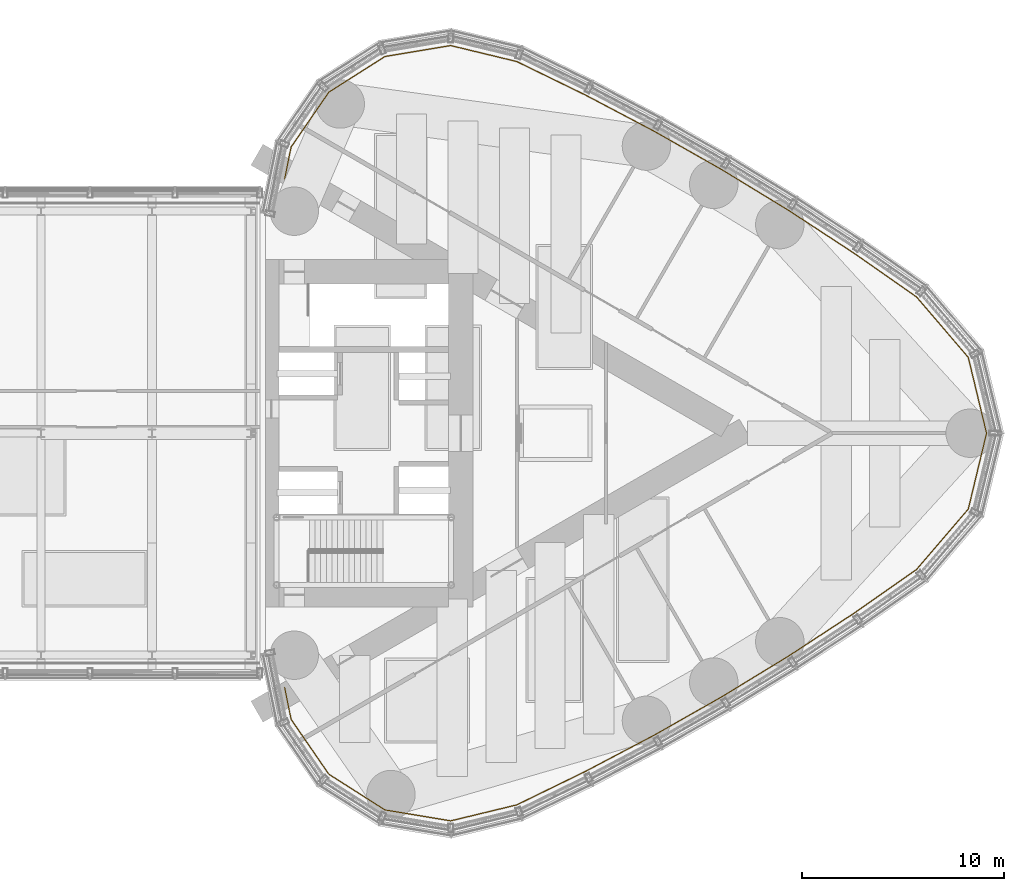
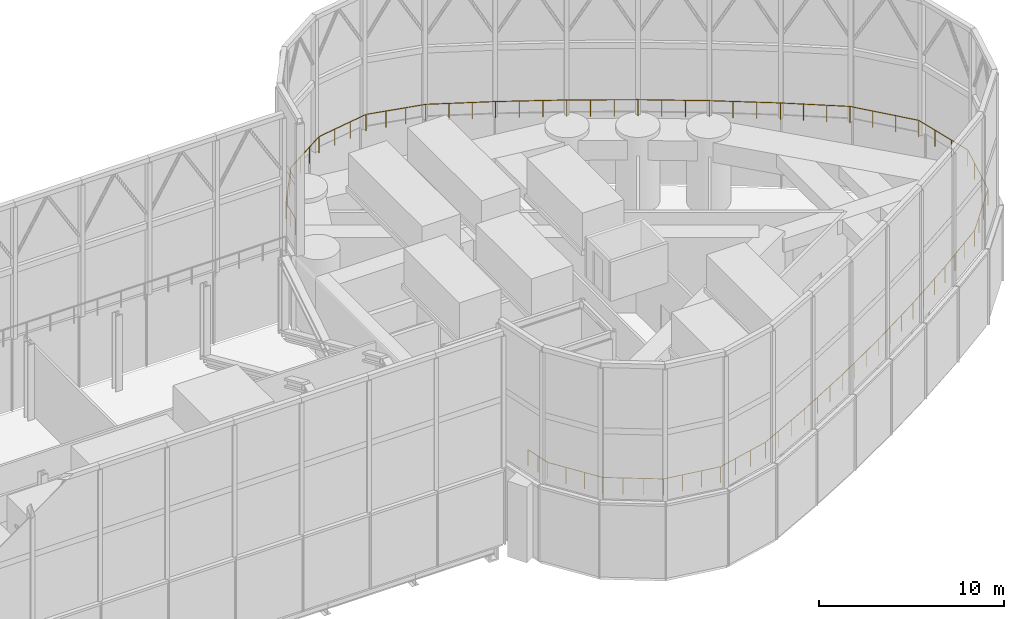
# One storey, part 32 of 33: 1 railing.
"""IFC4 building model written with IfcOpenShell, lengths in metres."""

import ifcopenshell
import ifcopenshell.guid

model = None  # the IFC model being written
_history = None  # IfcOwnerHistory: only IFC2X3 demands one
_inside = {}  # id of a spatial element -> (the spatial element, [elements in it])
_under = {}  # id of a project, library or spatial element -> (it, [spatial elements below it])
_declared = {}  # id of a project -> (the project, [libraries it declares])
_typed = {}  # id of a type object -> (the type object, [elements of that type])
_made_of = {}  # id of a material, layer set ... -> (it, [elements and type objects made of it])


def new_model(schema):
    """Start an empty IFC model of exactly this schema.

    Asked for "IFC4X3", IfcOpenShell would pick the latest addendum, in which some entities
    have other attributes; the version numbers below select the first issue.
    IFC2X3 requires an IfcOwnerHistory on every rooted entity: one is made here for all.
    """
    global model, _history
    if schema == "IFC4X3":
        model = ifcopenshell.file(schema_version=(4, 3, 0, 0))
    else:
        model = ifcopenshell.file(schema=schema)
    _inside.clear()
    _under.clear()
    _declared.clear()
    _typed.clear()
    _made_of.clear()
    _history = None
    if model.schema == "IFC2X3":
        org = make("IfcOrganization", Name="unknown")
        user = make(
            "IfcPersonAndOrganization",
            ThePerson=make("IfcPerson", FamilyName="unknown"),
            TheOrganization=org,
        )
        app = make(
            "IfcApplication",
            ApplicationDeveloper=org,
            Version="unknown",
            ApplicationFullName="unknown",
            ApplicationIdentifier="unknown",
        )
        _history = make(
            "IfcOwnerHistory",
            OwningUser=user,
            OwningApplication=app,
            ChangeAction="ADDED",
            CreationDate=0,
        )
    return model


def make(cls, **values):
    """One entity of the class cls with the attributes given. An attribute that is None is left unset."""
    return model.create_entity(
        cls, **{name: value for name, value in values.items() if value is not None}
    )


def rooted(cls, **values):
    """An entity with a GlobalId (a new one), such as an element, a storey or a relation."""
    return make(cls, GlobalId=ifcopenshell.guid.new(), OwnerHistory=_history, **values)


def si_unit(unit_type, name, prefix=None):
    """IfcSIUnit, for example si_unit("LENGTHUNIT", "METRE", prefix="MILLI")."""
    return make("IfcSIUnit", UnitType=unit_type, Prefix=prefix, Name=name)


def assignment(units):
    """IfcUnitAssignment: the units of a project."""
    return None if units is None else make("IfcUnitAssignment", Units=units)


def point(xyz):
    """IfcCartesianPoint."""
    return None if xyz is None else make("IfcCartesianPoint", Coordinates=xyz)


def direction(xyz):
    """IfcDirection."""
    return None if xyz is None else make("IfcDirection", DirectionRatios=xyz)


def frame(location, z_axis=None, x_axis=None):
    """IfcAxis2Placement3D, a coordinate frame: its origin and axes. An axis left out is left unset."""
    return make(
        "IfcAxis2Placement3D",
        Location=point(location),
        Axis=direction(z_axis),
        RefDirection=direction(x_axis),
    )


def frame_2d(location, x_axis=None):
    """IfcAxis2Placement2D, a coordinate frame in the plane: its origin and x axis."""
    return make(
        "IfcAxis2Placement2D", Location=point(location), RefDirection=direction(x_axis)
    )


def origin():
    """The frame at (0, 0, 0) with its axes left unset."""
    return frame((0.0, 0.0, 0.0))


def origin_2d():
    """The frame at (0, 0) in the plane with its x axis left unset."""
    return frame_2d((0.0, 0.0))


def place(relative_to, where):
    """IfcLocalPlacement: puts the frame where relative to a parent placement (None: the world)."""
    return make(
        "IfcLocalPlacement", PlacementRelTo=relative_to, RelativePlacement=where
    )


def context(
    kind, dimensions, precision=None, world=None, true_north=None, identifier=None
):
    """IfcGeometricRepresentationContext, for example the 3D "Model" context."""
    return make(
        "IfcGeometricRepresentationContext",
        ContextIdentifier=identifier,
        ContextType=kind,
        CoordinateSpaceDimension=dimensions,
        Precision=precision,
        WorldCoordinateSystem=world,
        TrueNorth=true_north,
    )


def subcontext(parent, identifier, kind, view, scale=None):
    """IfcGeometricRepresentationSubContext, for example "Body" below "Model"."""
    return make(
        "IfcGeometricRepresentationSubContext",
        ContextIdentifier=identifier,
        ContextType=kind,
        ParentContext=parent,
        TargetScale=scale,
        TargetView=view,
    )


def project(units=None, contexts=None):
    """IfcProject with its units and contexts."""
    return rooted(
        "IfcProject",
        Name="project",
        RepresentationContexts=contexts,
        UnitsInContext=assignment(units),
    )


def spatial(cls, under=None, at=None, **own):
    """A site, building, storey or space (cls), placed at a placement, below another one or the project."""
    s = rooted(cls, ObjectPlacement=at, **own)
    if under is not None:
        _under.setdefault(under.id(), (under, []))[1].append(s)
    return s


def profile(cls, at=None, kind="AREA", **sizes):
    """A parametric profile (cls). Its sizes go by their IFC names, for example OverallWidth=200.0."""
    return make(cls, ProfileType=kind, Position=at, **sizes)


def circle(**sizes):
    """IfcCircleProfileDef."""
    return profile("IfcCircleProfileDef", **sizes)


def extrude(swept, where, along, depth):
    """IfcExtrudedAreaSolid: the profile swept, set in the frame where, extruded along a direction by depth."""
    return make(
        "IfcExtrudedAreaSolid",
        SweptArea=swept,
        Position=where,
        ExtrudedDirection=direction(along),
        Depth=depth,
    )


def shape(context_of_items, identifier, shape_type, items):
    """IfcShapeRepresentation: the items that make up one representation, for example the "Body"."""
    return make(
        "IfcShapeRepresentation",
        ContextOfItems=context_of_items,
        RepresentationIdentifier=identifier,
        RepresentationType=shape_type,
        Items=items,
    )


def material(Name=None, Category=None):
    """IfcMaterial."""
    return make("IfcMaterial", Name=Name, Category=Category)


def made_of(thing, what):
    """Note that an element or type object is made of a material, layer set ...; save() writes the relation."""
    if what is not None:
        _made_of.setdefault(what.id(), (what, []))[1].append(thing)
    return thing


def type_object(cls, material=None, **own):
    """A type object (cls), such as IfcWallType, which elements share."""
    return made_of(rooted(cls, **own), material)


def element(
    cls,
    number,
    at=None,
    inside=None,
    cuts=None,
    type_object=None,
    material=None,
    context=None,
    identifier="Body",
    shape_type=None,
    held_by="IfcProductDefinitionShape",
    body=None,
    shapes=None,
    **own,
):
    """One element of the class cls, such as IfcWall. Its Tag is "e" and its number.

    at: its placement. inside: the storey or other place that contains it. cuts: it is an
    opening in that element (IfcRelVoidsElement). A single representation is given by context,
    identifier, shape_type and body (its items); several are given by shapes. held_by: the class
    of the entity that holds the representations. save() writes the other relations.
    """
    e = rooted(cls, Tag="e%d" % number, ObjectPlacement=at, **own)
    if body is not None:
        shapes = [shape(context, identifier, shape_type, body)]
    if shapes is not None:
        e.Representation = make(held_by, Representations=shapes)
    if inside is not None:
        _inside.setdefault(inside.id(), (inside, []))[1].append(e)
    if cuts is not None:
        rooted(
            "IfcRelVoidsElement", RelatingBuildingElement=cuts, RelatedOpeningElement=e
        )
    if type_object is not None:
        _typed.setdefault(type_object.id(), (type_object, []))[1].append(e)
    return made_of(e, material)


def aggregate(whole, parts):
    """IfcRelAggregates: a whole, such as a stair, and the parts it consists of."""
    return rooted("IfcRelAggregates", RelatingObject=whole, RelatedObjects=parts)


def save(model, path):
    """Write the relations noted so far, then the file.

    IfcRelAggregates (storeys below a building ...), IfcRelContainedInSpatialStructure (elements
    in a storey), IfcRelDefinesByType, IfcRelAssociatesMaterial and IfcRelDeclares: one each for
    every whole, place, type object, material and project.
    """
    for whole, parts in _under.values():
        aggregate(whole, parts)
    for where, things in _inside.values():
        rooted(
            "IfcRelContainedInSpatialStructure",
            RelatedElements=things,
            RelatingStructure=where,
        )
    for kind, things in _typed.values():
        rooted("IfcRelDefinesByType", RelatedObjects=things, RelatingType=kind)
    for what, things in _made_of.values():
        rooted("IfcRelAssociatesMaterial", RelatedObjects=things, RelatingMaterial=what)
    for by, libraries in _declared.values():
        rooted("IfcRelDeclares", RelatingContext=by, RelatedDefinitions=libraries)
    model.write(path)


model = new_model("IFC4")

# Units and contexts
model_context = context("Model", 3, precision=1e-05, world=origin(), true_north=direction((0.0, 1.0)))
body_context = subcontext(model_context, "Body", "Model", "MODEL_VIEW")
ifc_project = project(units=[si_unit("LENGTHUNIT", "METRE"), si_unit("AREAUNIT", "SQUARE_METRE"), si_unit("VOLUMEUNIT", "CUBIC_METRE"), si_unit("PLANEANGLEUNIT", "RADIAN"), si_unit("MASSUNIT", "GRAM", prefix="KILO")], contexts=[model_context])

# Site, building, storey
site_placement = place(None, origin())
site = spatial("IfcSite", under=ifc_project, at=site_placement, CompositionType="ELEMENT")
building_placement = place(site_placement, origin())
building = spatial("IfcBuilding", under=site, at=building_placement, Name="Lancet Gate Hotel", CompositionType="ELEMENT")
storey_placement = place(building_placement, frame((0.0, 0.0, 268.300048828125)))
storey = spatial("IfcBuildingStorey", under=building, at=storey_placement, Name="L70", CompositionType="ELEMENT", Elevation=268.300048828125)

# Railing
ifc_material = material(Name="Galvanised steel guard rail", Category="steel")
railing_type = type_object("IfcRailingType", Name="Roof guard rail 1100", PredefinedType="GUARDRAIL", material=ifc_material)
railing_placement = place(storey_placement, frame((28.5712890625, 12.60009765625, 5.0)))
element("IfcRailing", 1, at=railing_placement, inside=storey, type_object=railing_type, Name="T2 roof guard rail 1", PredefinedType="GUARDRAIL", context=body_context, shape_type="SweptSolid", body=[
    extrude(circle(Radius=0.02392578125, at=origin_2d()), frame((0.0, 0.0, 1.076171875), z_axis=(0.199405258668, 0.979917110176, 0.0), x_axis=(-0.979917110176, 0.199405258668, 0.0)), (0.0, 0.0, 1.0), 1.612548828125),
    extrude(circle(Radius=0.02392578125, at=origin_2d()), frame((0.321533203125, 1.580078125, 1.076171875), z_axis=(0.566836639095, 0.823830215869, 0.0), x_axis=(-0.823830215869, 0.566836639095, 0.0)), (0.0, 0.0, 1.0), 3.29833984375),
    extrude(circle(Radius=0.02392578125, at=origin_2d()), frame((2.191162109375, 4.29736328125, 1.076171875), z_axis=(0.843868672683, 0.536549777061, 0.0), x_axis=(-0.536549777061, 0.843868672683, 0.0)), (0.0, 0.0, 1.0), 3.29833984375),
    extrude(circle(Radius=0.02392578125, at=origin_2d()), frame((4.974609375, 6.067138671875, 1.076171875), z_axis=(0.986467844098, 0.163954849154, 0.0), x_axis=(-0.163954849154, 0.986467844098, 0.0)), (0.0, 0.0, 1.0), 3.29833984375),
    extrude(circle(Radius=0.02392578125, at=origin_2d()), frame((8.228271484375, 6.60791015625, 1.076171875), z_axis=(0.972006872075, -0.234952422077, 0.0), x_axis=(0.234952422077, 0.972006872075, 0.0)), (0.0, 0.0, 1.0), 3.36669921875),
    extrude(circle(Radius=0.02392578125, at=origin_2d()), frame((11.500732421875, 5.81689453125, 1.076171875), z_axis=(0.898822857573, -0.438312069997, 0.0), x_axis=(0.438312069997, 0.898822857573, 0.0)), (0.0, 0.0, 1.0), 3.794189453125),
    extrude(circle(Radius=0.02392578125, at=origin_2d()), frame((14.9111328125, 4.15380859375, 1.076171875), z_axis=(0.884621748691, -0.466309298366, 0.0), x_axis=(0.466309298366, 0.884621748691, 0.0)), (0.0, 0.0, 1.0), 3.86083984375),
    extrude(circle(Radius=0.02392578125, at=origin_2d()), frame((18.326416015625, 2.353515625, 1.076171875), z_axis=(0.869555300172, -0.493835579868, 0.0), x_axis=(0.493835579868, 0.869555300172, 0.0)), (0.0, 0.0, 1.0), 3.861083984375),
    extrude(circle(Radius=0.02392578125, at=origin_2d()), frame((21.683837890625, 0.44677734375, 1.076171875), z_axis=(0.853619266025, -0.520897445445, 0.0), x_axis=(0.520897445445, 0.853619266025, 0.0)), (0.0, 0.0, 1.0), 3.861083984375),
    extrude(circle(Radius=0.02392578125, at=origin_2d()), frame((24.979736328125, -1.564453125, 1.076171875), z_axis=(0.836853740592, -0.547426540147, 0.0), x_axis=(0.547426540147, 0.836853740592, 0.0)), (0.0, 0.0, 1.0), 3.86083984375),
    extrude(circle(Radius=0.02392578125, at=origin_2d()), frame((28.210693359375, -3.677978515625, 1.076171875), z_axis=(0.81927135119, -0.573406010711, 0.0), x_axis=(0.573406010711, 0.81927135119, 0.0)), (0.0, 0.0, 1.0), 3.78125),
    extrude(circle(Radius=0.02392578125, at=origin_2d()), frame((31.30859375, -5.84619140625, 1.076171875), z_axis=(0.650531493949, -0.759479279099, 0.0), x_axis=(0.759479279099, 0.650531493949, 0.0)), (0.0, 0.0, 1.0), 3.9462890625),
    extrude(circle(Radius=0.02392578125, at=origin_2d()), frame((33.875732421875, -8.84326171875, 1.076171875), z_axis=(0.233903425443, -0.972259835418, 0.0), x_axis=(0.972259835418, 0.233903425443, 0.0)), (0.0, 0.0, 1.0), 3.864013671875),
    extrude(circle(Radius=0.02392578125, at=origin_2d()), frame((34.779541015625, -12.60009765625, 1.076171875), z_axis=(-0.233903425443, -0.972259835418, 0.0), x_axis=(0.972259835418, -0.233903425443, 0.0)), (0.0, 0.0, 1.0), 3.864013671875),
    extrude(circle(Radius=0.02392578125, at=origin_2d()), frame((33.875732421875, -16.35693359375, 1.076171875), z_axis=(-0.650531493949, -0.759479279099, 0.0), x_axis=(0.759479279099, -0.650531493949, 0.0)), (0.0, 0.0, 1.0), 3.9462890625),
    extrude(circle(Radius=0.02392578125, at=origin_2d()), frame((31.30859375, -19.35400390625, 1.076171875), z_axis=(-0.81927135119, -0.573406010711, 0.0), x_axis=(0.573406010711, -0.81927135119, 0.0)), (0.0, 0.0, 1.0), 3.78125),
    extrude(circle(Radius=0.02392578125, at=origin_2d()), frame((28.210693359375, -21.522216796875, 1.076171875), z_axis=(-0.836853740592, -0.547426540147, 0.0), x_axis=(0.547426540147, -0.836853740592, 0.0)), (0.0, 0.0, 1.0), 3.86083984375),
    extrude(circle(Radius=0.02392578125, at=origin_2d()), frame((24.979736328125, -23.6357421875, 1.076171875), z_axis=(-0.853619266025, -0.520897445445, 0.0), x_axis=(0.520897445445, -0.853619266025, 0.0)), (0.0, 0.0, 1.0), 3.861083984375),
    extrude(circle(Radius=0.02392578125, at=origin_2d()), frame((21.683837890625, -25.64697265625, 1.076171875), z_axis=(-0.869555300172, -0.493835579868, 0.0), x_axis=(0.493835579868, -0.869555300172, 0.0)), (0.0, 0.0, 1.0), 3.861083984375),
    extrude(circle(Radius=0.02392578125, at=origin_2d()), frame((18.326416015625, -27.5537109375, 1.076171875), z_axis=(-0.884621748691, -0.466309298366, 0.0), x_axis=(0.466309298366, -0.884621748691, 0.0)), (0.0, 0.0, 1.0), 3.86083984375),
    extrude(circle(Radius=0.02392578125, at=origin_2d()), frame((14.9111328125, -29.35400390625, 1.076171875), z_axis=(-0.898822857573, -0.438312069997, 0.0), x_axis=(0.438312069997, -0.898822857573, 0.0)), (0.0, 0.0, 1.0), 3.794189453125),
    extrude(circle(Radius=0.02392578125, at=origin_2d()), frame((11.500732421875, -31.01708984375, 1.076171875), z_axis=(-0.972006872075, -0.234952422077, 0.0), x_axis=(0.234952422077, -0.972006872075, 0.0)), (0.0, 0.0, 1.0), 3.36669921875),
    extrude(circle(Radius=0.02392578125, at=origin_2d()), frame((8.228271484375, -31.80810546875, 1.076171875), z_axis=(-0.986467844098, 0.163954849154, 0.0), x_axis=(-0.163954849154, -0.986467844098, 0.0)), (0.0, 0.0, 1.0), 3.29833984375),
    extrude(circle(Radius=0.02392578125, at=origin_2d()), frame((4.974609375, -31.267333984375, 1.076171875), z_axis=(-0.843868672683, 0.536549777061, 0.0), x_axis=(-0.536549777061, -0.843868672683, 0.0)), (0.0, 0.0, 1.0), 3.29833984375),
    extrude(circle(Radius=0.02392578125, at=origin_2d()), frame((2.191162109375, -29.49755859375, 1.076171875), z_axis=(-0.566836639095, 0.823830215869, 0.0), x_axis=(-0.823830215869, -0.566836639095, 0.0)), (0.0, 0.0, 1.0), 3.29833984375),
    extrude(circle(Radius=0.02392578125, at=origin_2d()), frame((0.321533203125, -26.7802734375, 1.076171875), z_axis=(-0.199405258668, 0.979917110176, 0.0), x_axis=(-0.979917110176, -0.199405258668, 0.0)), (0.0, 0.0, 1.0), 1.612548828125),
    extrude(circle(Radius=0.02099609375, at=origin_2d()), origin(), (0.0, 0.0, 1.0), 1.052001953125),
    extrude(circle(Radius=0.02099609375, at=origin_2d()), frame((0.16064453125, 0.7900390625, 0.0)), (0.0, 0.0, 1.0), 1.052001953125),
    extrude(circle(Radius=0.02099609375, at=origin_2d()), frame((0.321533203125, 1.580078125, 0.0)), (0.0, 0.0, 1.0), 1.052001953125),
    extrude(circle(Radius=0.02099609375, at=origin_2d()), frame((0.94482421875, 2.48583984375, 0.0)), (0.0, 0.0, 1.0), 1.052001953125),
    extrude(circle(Radius=0.02099609375, at=origin_2d()), frame((1.56787109375, 3.3916015625, 0.0)), (0.0, 0.0, 1.0), 1.052001953125),
    extrude(circle(Radius=0.02099609375, at=origin_2d()), frame((2.191162109375, 4.29736328125, 0.0)), (0.0, 0.0, 1.0), 1.052001953125),
    extrude(circle(Radius=0.02099609375, at=origin_2d()), frame((3.118896484375, 4.88720703125, 0.0)), (0.0, 0.0, 1.0), 1.052001953125),
    extrude(circle(Radius=0.02099609375, at=origin_2d()), frame((4.046875, 5.477294921875, 0.0)), (0.0, 0.0, 1.0), 1.052001953125),
    extrude(circle(Radius=0.02099609375, at=origin_2d()), frame((4.974609375, 6.067138671875, 0.0)), (0.0, 0.0, 1.0), 1.052001953125),
    extrude(circle(Radius=0.02099609375, at=origin_2d()), frame((6.05908203125, 6.247314453125, 0.0)), (0.0, 0.0, 1.0), 1.052001953125),
    extrude(circle(Radius=0.02099609375, at=origin_2d()), frame((7.143798828125, 6.427734375, 0.0)), (0.0, 0.0, 1.0), 1.052001953125),
    extrude(circle(Radius=0.02099609375, at=origin_2d()), frame((8.228271484375, 6.60791015625, 0.0)), (0.0, 0.0, 1.0), 1.052001953125),
    extrude(circle(Radius=0.02099609375, at=origin_2d()), frame((9.319091796875, 6.34423828125, 0.0)), (0.0, 0.0, 1.0), 1.052001953125),
    extrude(circle(Radius=0.02099609375, at=origin_2d()), frame((10.409912109375, 6.08056640625, 0.0)), (0.0, 0.0, 1.0), 1.052001953125),
    extrude(circle(Radius=0.02099609375, at=origin_2d()), frame((11.500732421875, 5.81689453125, 0.0)), (0.0, 0.0, 1.0), 1.052001953125),
    extrude(circle(Radius=0.02099609375, at=origin_2d()), frame((12.637451171875, 5.262451171875, 0.0)), (0.0, 0.0, 1.0), 1.052001953125),
    extrude(circle(Radius=0.02099609375, at=origin_2d()), frame((13.7744140625, 4.708251953125, 0.0)), (0.0, 0.0, 1.0), 1.052001953125),
    extrude(circle(Radius=0.02099609375, at=origin_2d()), frame((14.9111328125, 4.15380859375, 0.0)), (0.0, 0.0, 1.0), 1.052001953125),
    extrude(circle(Radius=0.02099609375, at=origin_2d()), frame((16.049560546875, 3.5537109375, 0.0)), (0.0, 0.0, 1.0), 1.052001953125),
    extrude(circle(Radius=0.02099609375, at=origin_2d()), frame((17.18798828125, 2.95361328125, 0.0)), (0.0, 0.0, 1.0), 1.052001953125),
    extrude(circle(Radius=0.02099609375, at=origin_2d()), frame((18.326416015625, 2.353515625, 0.0)), (0.0, 0.0, 1.0), 1.052001953125),
    extrude(circle(Radius=0.02099609375, at=origin_2d()), frame((19.445556640625, 1.718017578125, 0.0)), (0.0, 0.0, 1.0), 1.052001953125),
    extrude(circle(Radius=0.02099609375, at=origin_2d()), frame((20.564697265625, 1.082275390625, 0.0)), (0.0, 0.0, 1.0), 1.052001953125),
    extrude(circle(Radius=0.02099609375, at=origin_2d()), frame((21.683837890625, 0.44677734375, 0.0)), (0.0, 0.0, 1.0), 1.052001953125),
    extrude(circle(Radius=0.02099609375, at=origin_2d()), frame((22.782470703125, -0.2236328125, 0.0)), (0.0, 0.0, 1.0), 1.052001953125),
    extrude(circle(Radius=0.02099609375, at=origin_2d()), frame((23.881103515625, -0.89404296875, 0.0)), (0.0, 0.0, 1.0), 1.052001953125),
    extrude(circle(Radius=0.02099609375, at=origin_2d()), frame((24.979736328125, -1.564453125, 0.0)), (0.0, 0.0, 1.0), 1.052001953125),
    extrude(circle(Radius=0.02099609375, at=origin_2d()), frame((26.056640625, -2.26904296875, 0.0)), (0.0, 0.0, 1.0), 1.052001953125),
    extrude(circle(Radius=0.02099609375, at=origin_2d()), frame((27.1337890625, -2.973388671875, 0.0)), (0.0, 0.0, 1.0), 1.052001953125),
    extrude(circle(Radius=0.02099609375, at=origin_2d()), frame((28.210693359375, -3.677978515625, 0.0)), (0.0, 0.0, 1.0), 1.052001953125),
    extrude(circle(Radius=0.02099609375, at=origin_2d()), frame((29.243408203125, -4.400634765625, 0.0)), (0.0, 0.0, 1.0), 1.052001953125),
    extrude(circle(Radius=0.02099609375, at=origin_2d()), frame((30.27587890625, -5.12353515625, 0.0)), (0.0, 0.0, 1.0), 1.052001953125),
    extrude(circle(Radius=0.02099609375, at=origin_2d()), frame((31.30859375, -5.84619140625, 0.0)), (0.0, 0.0, 1.0), 1.052001953125),
    extrude(circle(Radius=0.02099609375, at=origin_2d()), frame((32.164306640625, -6.84521484375, 0.0)), (0.0, 0.0, 1.0), 1.052001953125),
    extrude(circle(Radius=0.02099609375, at=origin_2d()), frame((33.02001953125, -7.84423828125, 0.0)), (0.0, 0.0, 1.0), 1.052001953125),
    extrude(circle(Radius=0.02099609375, at=origin_2d()), frame((33.875732421875, -8.84326171875, 0.0)), (0.0, 0.0, 1.0), 1.052001953125),
    extrude(circle(Radius=0.02099609375, at=origin_2d()), frame((34.177001953125, -10.095458984375, 0.0)), (0.0, 0.0, 1.0), 1.052001953125),
    extrude(circle(Radius=0.02099609375, at=origin_2d()), frame((34.478271484375, -11.347900390625, 0.0)), (0.0, 0.0, 1.0), 1.052001953125),
    extrude(circle(Radius=0.02099609375, at=origin_2d()), frame((34.779541015625, -12.60009765625, 0.0)), (0.0, 0.0, 1.0), 1.052001953125),
    extrude(circle(Radius=0.02099609375, at=origin_2d()), frame((34.478271484375, -13.852294921875, 0.0)), (0.0, 0.0, 1.0), 1.052001953125),
    extrude(circle(Radius=0.02099609375, at=origin_2d()), frame((34.177001953125, -15.104736328125, 0.0)), (0.0, 0.0, 1.0), 1.052001953125),
    extrude(circle(Radius=0.02099609375, at=origin_2d()), frame((33.875732421875, -16.35693359375, 0.0)), (0.0, 0.0, 1.0), 1.052001953125),
    extrude(circle(Radius=0.02099609375, at=origin_2d()), frame((33.02001953125, -17.35595703125, 0.0)), (0.0, 0.0, 1.0), 1.052001953125),
    extrude(circle(Radius=0.02099609375, at=origin_2d()), frame((32.164306640625, -18.35498046875, 0.0)), (0.0, 0.0, 1.0), 1.052001953125),
    extrude(circle(Radius=0.02099609375, at=origin_2d()), frame((31.30859375, -19.35400390625, 0.0)), (0.0, 0.0, 1.0), 1.052001953125),
    extrude(circle(Radius=0.02099609375, at=origin_2d()), frame((30.27587890625, -20.07666015625, 0.0)), (0.0, 0.0, 1.0), 1.052001953125),
    extrude(circle(Radius=0.02099609375, at=origin_2d()), frame((29.243408203125, -20.799560546875, 0.0)), (0.0, 0.0, 1.0), 1.052001953125),
    extrude(circle(Radius=0.02099609375, at=origin_2d()), frame((28.210693359375, -21.522216796875, 0.0)), (0.0, 0.0, 1.0), 1.052001953125),
    extrude(circle(Radius=0.02099609375, at=origin_2d()), frame((27.1337890625, -22.226806640625, 0.0)), (0.0, 0.0, 1.0), 1.052001953125),
    extrude(circle(Radius=0.02099609375, at=origin_2d()), frame((26.056640625, -22.93115234375, 0.0)), (0.0, 0.0, 1.0), 1.052001953125),
    extrude(circle(Radius=0.02099609375, at=origin_2d()), frame((24.979736328125, -23.6357421875, 0.0)), (0.0, 0.0, 1.0), 1.052001953125),
    extrude(circle(Radius=0.02099609375, at=origin_2d()), frame((23.881103515625, -24.30615234375, 0.0)), (0.0, 0.0, 1.0), 1.052001953125),
    extrude(circle(Radius=0.02099609375, at=origin_2d()), frame((22.782470703125, -24.9765625, 0.0)), (0.0, 0.0, 1.0), 1.052001953125),
    extrude(circle(Radius=0.02099609375, at=origin_2d()), frame((21.683837890625, -25.64697265625, 0.0)), (0.0, 0.0, 1.0), 1.052001953125),
    extrude(circle(Radius=0.02099609375, at=origin_2d()), frame((20.564697265625, -26.282470703125, 0.0)), (0.0, 0.0, 1.0), 1.052001953125),
    extrude(circle(Radius=0.02099609375, at=origin_2d()), frame((19.445556640625, -26.918212890625, 0.0)), (0.0, 0.0, 1.0), 1.052001953125),
    extrude(circle(Radius=0.02099609375, at=origin_2d()), frame((18.326416015625, -27.5537109375, 0.0)), (0.0, 0.0, 1.0), 1.052001953125),
    extrude(circle(Radius=0.02099609375, at=origin_2d()), frame((17.18798828125, -28.15380859375, 0.0)), (0.0, 0.0, 1.0), 1.052001953125),
    extrude(circle(Radius=0.02099609375, at=origin_2d()), frame((16.049560546875, -28.75390625, 0.0)), (0.0, 0.0, 1.0), 1.052001953125),
    extrude(circle(Radius=0.02099609375, at=origin_2d()), frame((14.9111328125, -29.35400390625, 0.0)), (0.0, 0.0, 1.0), 1.052001953125),
    extrude(circle(Radius=0.02099609375, at=origin_2d()), frame((13.7744140625, -29.908447265625, 0.0)), (0.0, 0.0, 1.0), 1.052001953125),
    extrude(circle(Radius=0.02099609375, at=origin_2d()), frame((12.637451171875, -30.462646484375, 0.0)), (0.0, 0.0, 1.0), 1.052001953125),
    extrude(circle(Radius=0.02099609375, at=origin_2d()), frame((11.500732421875, -31.01708984375, 0.0)), (0.0, 0.0, 1.0), 1.052001953125),
    extrude(circle(Radius=0.02099609375, at=origin_2d()), frame((10.409912109375, -31.28076171875, 0.0)), (0.0, 0.0, 1.0), 1.052001953125),
    extrude(circle(Radius=0.02099609375, at=origin_2d()), frame((9.319091796875, -31.54443359375, 0.0)), (0.0, 0.0, 1.0), 1.052001953125),
    extrude(circle(Radius=0.02099609375, at=origin_2d()), frame((8.228271484375, -31.80810546875, 0.0)), (0.0, 0.0, 1.0), 1.052001953125),
    extrude(circle(Radius=0.02099609375, at=origin_2d()), frame((7.143798828125, -31.6279296875, 0.0)), (0.0, 0.0, 1.0), 1.052001953125),
    extrude(circle(Radius=0.02099609375, at=origin_2d()), frame((6.05908203125, -31.447509765625, 0.0)), (0.0, 0.0, 1.0), 1.052001953125),
    extrude(circle(Radius=0.02099609375, at=origin_2d()), frame((4.974609375, -31.267333984375, 0.0)), (0.0, 0.0, 1.0), 1.052001953125),
    extrude(circle(Radius=0.02099609375, at=origin_2d()), frame((4.046875, -30.677490234375, 0.0)), (0.0, 0.0, 1.0), 1.052001953125),
    extrude(circle(Radius=0.02099609375, at=origin_2d()), frame((3.118896484375, -30.08740234375, 0.0)), (0.0, 0.0, 1.0), 1.052001953125),
    extrude(circle(Radius=0.02099609375, at=origin_2d()), frame((2.191162109375, -29.49755859375, 0.0)), (0.0, 0.0, 1.0), 1.052001953125),
    extrude(circle(Radius=0.02099609375, at=origin_2d()), frame((1.56787109375, -28.591796875, 0.0)), (0.0, 0.0, 1.0), 1.052001953125),
    extrude(circle(Radius=0.02099609375, at=origin_2d()), frame((0.94482421875, -27.68603515625, 0.0)), (0.0, 0.0, 1.0), 1.052001953125),
    extrude(circle(Radius=0.02099609375, at=origin_2d()), frame((0.321533203125, -26.7802734375, 0.0)), (0.0, 0.0, 1.0), 1.052001953125),
    extrude(circle(Radius=0.02099609375, at=origin_2d()), frame((0.16064453125, -25.990234375, 0.0)), (0.0, 0.0, 1.0), 1.052001953125),
    extrude(circle(Radius=0.02099609375, at=origin_2d()), frame((0.0, -25.2001953125, 0.0)), (0.0, 0.0, 1.0), 1.052001953125),
])

save(model, "model.ifc")
